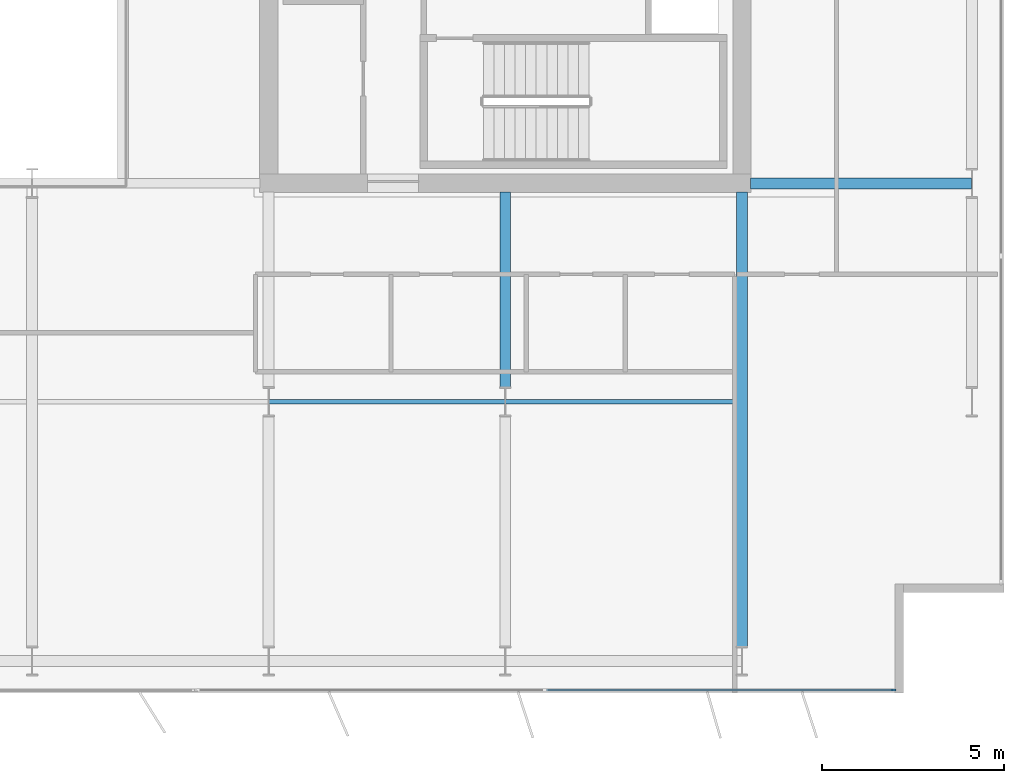
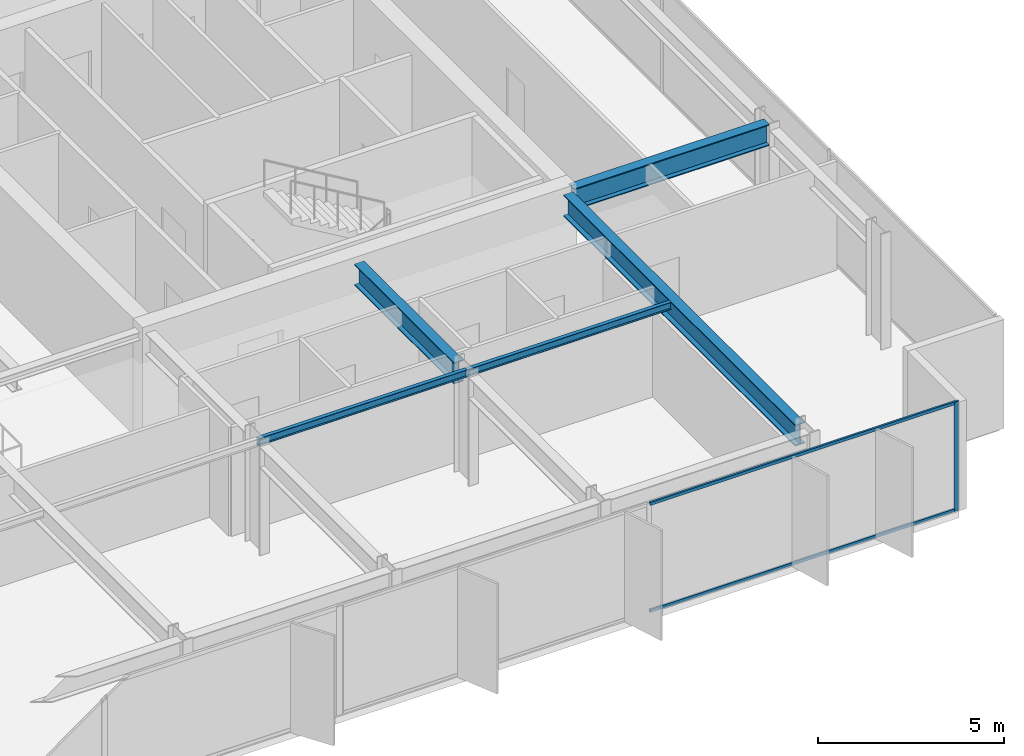
# One storey, part 8 of 23: 5 beams, 3 members, 1 element without a shape of its own.
"""IFC4 building model written with IfcOpenShell, lengths in metres."""

import ifcopenshell
import ifcopenshell.guid

model = None  # the IFC model being written
_history = None  # IfcOwnerHistory: only IFC2X3 demands one
_inside = {}  # id of a spatial element -> (the spatial element, [elements in it])
_under = {}  # id of a project, library or spatial element -> (it, [spatial elements below it])
_declared = {}  # id of a project -> (the project, [libraries it declares])
_typed = {}  # id of a type object -> (the type object, [elements of that type])
_made_of = {}  # id of a material, layer set ... -> (it, [elements and type objects made of it])


def new_model(schema):
    """Start an empty IFC model of exactly this schema.

    Asked for "IFC4X3", IfcOpenShell would pick the latest addendum, in which some entities
    have other attributes; the version numbers below select the first issue.
    IFC2X3 requires an IfcOwnerHistory on every rooted entity: one is made here for all.
    """
    global model, _history
    if schema == "IFC4X3":
        model = ifcopenshell.file(schema_version=(4, 3, 0, 0))
    else:
        model = ifcopenshell.file(schema=schema)
    _inside.clear()
    _under.clear()
    _declared.clear()
    _typed.clear()
    _made_of.clear()
    _history = None
    if model.schema == "IFC2X3":
        org = make("IfcOrganization", Name="unknown")
        user = make(
            "IfcPersonAndOrganization",
            ThePerson=make("IfcPerson", FamilyName="unknown"),
            TheOrganization=org,
        )
        app = make(
            "IfcApplication",
            ApplicationDeveloper=org,
            Version="unknown",
            ApplicationFullName="unknown",
            ApplicationIdentifier="unknown",
        )
        _history = make(
            "IfcOwnerHistory",
            OwningUser=user,
            OwningApplication=app,
            ChangeAction="ADDED",
            CreationDate=0,
        )
    return model


def make(cls, **values):
    """One entity of the class cls with the attributes given. An attribute that is None is left unset."""
    return model.create_entity(
        cls, **{name: value for name, value in values.items() if value is not None}
    )


def rooted(cls, **values):
    """An entity with a GlobalId (a new one), such as an element, a storey or a relation."""
    return make(cls, GlobalId=ifcopenshell.guid.new(), OwnerHistory=_history, **values)


def si_unit(unit_type, name, prefix=None):
    """IfcSIUnit, for example si_unit("LENGTHUNIT", "METRE", prefix="MILLI")."""
    return make("IfcSIUnit", UnitType=unit_type, Prefix=prefix, Name=name)


def assignment(units):
    """IfcUnitAssignment: the units of a project."""
    return None if units is None else make("IfcUnitAssignment", Units=units)


def point(xyz):
    """IfcCartesianPoint."""
    return None if xyz is None else make("IfcCartesianPoint", Coordinates=xyz)


def direction(xyz):
    """IfcDirection."""
    return None if xyz is None else make("IfcDirection", DirectionRatios=xyz)


def frame(location, z_axis=None, x_axis=None):
    """IfcAxis2Placement3D, a coordinate frame: its origin and axes. An axis left out is left unset."""
    return make(
        "IfcAxis2Placement3D",
        Location=point(location),
        Axis=direction(z_axis),
        RefDirection=direction(x_axis),
    )


def frame_2d(location, x_axis=None):
    """IfcAxis2Placement2D, a coordinate frame in the plane: its origin and x axis."""
    return make(
        "IfcAxis2Placement2D", Location=point(location), RefDirection=direction(x_axis)
    )


def origin():
    """The frame at (0, 0, 0) with its axes left unset."""
    return frame((0.0, 0.0, 0.0))


def origin_2d():
    """The frame at (0, 0) in the plane with its x axis left unset."""
    return frame_2d((0.0, 0.0))


def place(relative_to, where):
    """IfcLocalPlacement: puts the frame where relative to a parent placement (None: the world)."""
    return make(
        "IfcLocalPlacement", PlacementRelTo=relative_to, RelativePlacement=where
    )


def context(
    kind, dimensions, precision=None, world=None, true_north=None, identifier=None
):
    """IfcGeometricRepresentationContext, for example the 3D "Model" context."""
    return make(
        "IfcGeometricRepresentationContext",
        ContextIdentifier=identifier,
        ContextType=kind,
        CoordinateSpaceDimension=dimensions,
        Precision=precision,
        WorldCoordinateSystem=world,
        TrueNorth=true_north,
    )


def subcontext(parent, identifier, kind, view, scale=None):
    """IfcGeometricRepresentationSubContext, for example "Body" below "Model"."""
    return make(
        "IfcGeometricRepresentationSubContext",
        ContextIdentifier=identifier,
        ContextType=kind,
        ParentContext=parent,
        TargetScale=scale,
        TargetView=view,
    )


def project(units=None, contexts=None):
    """IfcProject with its units and contexts."""
    return rooted(
        "IfcProject",
        Name="project",
        RepresentationContexts=contexts,
        UnitsInContext=assignment(units),
    )


def spatial(cls, under=None, at=None, **own):
    """A site, building, storey or space (cls), placed at a placement, below another one or the project."""
    s = rooted(cls, ObjectPlacement=at, **own)
    if under is not None:
        _under.setdefault(under.id(), (under, []))[1].append(s)
    return s


def profile(cls, at=None, kind="AREA", **sizes):
    """A parametric profile (cls). Its sizes go by their IFC names, for example OverallWidth=200.0."""
    return make(cls, ProfileType=kind, Position=at, **sizes)


def rectangle(**sizes):
    """IfcRectangleProfileDef."""
    return profile("IfcRectangleProfileDef", **sizes)


def i_section(**sizes):
    """IfcIShapeProfileDef."""
    return profile("IfcIShapeProfileDef", **sizes)


def extrude(swept, where, along, depth):
    """IfcExtrudedAreaSolid: the profile swept, set in the frame where, extruded along a direction by depth."""
    return make(
        "IfcExtrudedAreaSolid",
        SweptArea=swept,
        Position=where,
        ExtrudedDirection=direction(along),
        Depth=depth,
    )


def shape(context_of_items, identifier, shape_type, items):
    """IfcShapeRepresentation: the items that make up one representation, for example the "Body"."""
    return make(
        "IfcShapeRepresentation",
        ContextOfItems=context_of_items,
        RepresentationIdentifier=identifier,
        RepresentationType=shape_type,
        Items=items,
    )


def material(Name=None, Category=None):
    """IfcMaterial."""
    return make("IfcMaterial", Name=Name, Category=Category)


def layer(
    of_material, thickness, ventilated=None, Name=None, Category=None, Priority=None
):
    """IfcMaterialLayer: one layer of a wall or slab, of a material (None: an air gap)."""
    return make(
        "IfcMaterialLayer",
        Material=of_material,
        LayerThickness=thickness,
        IsVentilated=ventilated,
        Name=Name,
        Category=Category,
        Priority=Priority,
    )


def layer_set(layers, Name=None):
    """IfcMaterialLayerSet."""
    return make("IfcMaterialLayerSet", MaterialLayers=layers, LayerSetName=Name)


def material_profile(
    of_material, cross_section, Name=None, Category=None, Priority=None
):
    """IfcMaterialProfile: a cross section and its material."""
    return make(
        "IfcMaterialProfile",
        Name=Name,
        Material=of_material,
        Profile=cross_section,
        Priority=Priority,
        Category=Category,
    )


def profile_set(profiles, Name=None, composite=None):
    """IfcMaterialProfileSet."""
    return make(
        "IfcMaterialProfileSet",
        Name=Name,
        MaterialProfiles=profiles,
        CompositeProfile=composite,
    )


def made_of(thing, what):
    """Note that an element or type object is made of a material, layer set ...; save() writes the relation."""
    if what is not None:
        _made_of.setdefault(what.id(), (what, []))[1].append(thing)
    return thing


def type_object(cls, material=None, **own):
    """A type object (cls), such as IfcWallType, which elements share."""
    return made_of(rooted(cls, **own), material)


def element(
    cls,
    number,
    at=None,
    inside=None,
    cuts=None,
    type_object=None,
    material=None,
    context=None,
    identifier="Body",
    shape_type=None,
    held_by="IfcProductDefinitionShape",
    body=None,
    shapes=None,
    **own,
):
    """One element of the class cls, such as IfcWall. Its Tag is "e" and its number.

    at: its placement. inside: the storey or other place that contains it. cuts: it is an
    opening in that element (IfcRelVoidsElement). A single representation is given by context,
    identifier, shape_type and body (its items); several are given by shapes. held_by: the class
    of the entity that holds the representations. save() writes the other relations.
    """
    e = rooted(cls, Tag="e%d" % number, ObjectPlacement=at, **own)
    if body is not None:
        shapes = [shape(context, identifier, shape_type, body)]
    if shapes is not None:
        e.Representation = make(held_by, Representations=shapes)
    if inside is not None:
        _inside.setdefault(inside.id(), (inside, []))[1].append(e)
    if cuts is not None:
        rooted(
            "IfcRelVoidsElement", RelatingBuildingElement=cuts, RelatedOpeningElement=e
        )
    if type_object is not None:
        _typed.setdefault(type_object.id(), (type_object, []))[1].append(e)
    return made_of(e, material)


def aggregate(whole, parts):
    """IfcRelAggregates: a whole, such as a stair, and the parts it consists of."""
    return rooted("IfcRelAggregates", RelatingObject=whole, RelatedObjects=parts)


def save(model, path):
    """Write the relations noted so far, then the file.

    IfcRelAggregates (storeys below a building ...), IfcRelContainedInSpatialStructure (elements
    in a storey), IfcRelDefinesByType, IfcRelAssociatesMaterial and IfcRelDeclares: one each for
    every whole, place, type object, material and project.
    """
    for whole, parts in _under.values():
        aggregate(whole, parts)
    for where, things in _inside.values():
        rooted(
            "IfcRelContainedInSpatialStructure",
            RelatedElements=things,
            RelatingStructure=where,
        )
    for kind, things in _typed.values():
        rooted("IfcRelDefinesByType", RelatedObjects=things, RelatingType=kind)
    for what, things in _made_of.values():
        rooted("IfcRelAssociatesMaterial", RelatedObjects=things, RelatingMaterial=what)
    for by, libraries in _declared.values():
        rooted("IfcRelDeclares", RelatingContext=by, RelatedDefinitions=libraries)
    model.write(path)


model = new_model("IFC4")

# Units and contexts
model_context = context("Model", 3, precision=1e-05, world=origin(), true_north=direction((0.0, 1.0)))
body_context = subcontext(model_context, "Body", "Model", "MODEL_VIEW")
ifc_project = project(units=[si_unit("LENGTHUNIT", "METRE"), si_unit("AREAUNIT", "SQUARE_METRE"), si_unit("VOLUMEUNIT", "CUBIC_METRE"), si_unit("PLANEANGLEUNIT", "RADIAN"), si_unit("MASSUNIT", "GRAM", prefix="KILO")], contexts=[model_context])

# Site, building, storey
site_placement = place(None, origin())
site = spatial("IfcSite", under=ifc_project, at=site_placement, CompositionType="ELEMENT")
building_placement = place(site_placement, origin())
building = spatial("IfcBuilding", under=site, at=building_placement, Name="Putna Gate Headquarters", CompositionType="ELEMENT")
storey_placement = place(building_placement, frame((0.0, 0.0, 213.800048828125)))
storey = spatial("IfcBuildingStorey", under=building, at=storey_placement, Name="L53", CompositionType="ELEMENT", Elevation=213.800048828125)

# Beams
ifc_material_1 = material(Name="Steel S355J2", Category="steel")
ifc_material_profile_1 = material_profile(ifc_material_1, i_section(OverallWidth=0.300048828125, OverallDepth=0.699951171875, WebThickness=0.01708984375, FlangeThickness=0.031982421875, at=origin_2d()), Name="Steel S355J2")
ifc_profile_set_1 = profile_set([ifc_material_profile_1], Name="Steel S355J2")
beam_type_1 = type_object("IfcBeamType", Name="BM-GIRD-B-HEB700", PredefinedType="USERDEFINED", material=ifc_profile_set_1)
beam_1_placement = place(storey_placement, frame((65.235107421875, 19.0, 3.22998046875), z_axis=(1.0, 0.0, 0.0), x_axis=(0.0, 1.0, 0.0)))
element("IfcBeam", 1, at=beam_1_placement, inside=storey, type_object=beam_type_1, Name="L53 East Wing Girder Y19", ObjectType="GIRDER", PredefinedType="USERDEFINED", context=body_context, shape_type="SweptSolid", body=[
    extrude(i_section(OverallWidth=0.300048828125, OverallDepth=0.699951171875, WebThickness=0.01708984375, FlangeThickness=0.031982421875, at=origin_2d()), origin(), (0.0, 0.0, 1.0), 6.078857421875),
])
beam_2_placement = place(storey_placement, frame((58.5, 13.39501953125, 3.22998046875), z_axis=(0.0, 1.0, 0.0), x_axis=(-1.0, 0.0, 0.0)))
element("IfcBeam", 2, at=beam_2_placement, inside=storey, type_object=beam_type_1, Name="L53 South Primary Girder X58-2", ObjectType="GIRDER", PredefinedType="USERDEFINED", context=body_context, shape_type="SweptSolid", body=[
    extrude(i_section(OverallWidth=0.300048828125, OverallDepth=0.699951171875, WebThickness=0.01708984375, FlangeThickness=0.031982421875, at=origin_2d()), origin(), (0.0, 0.0, 1.0), 5.369873046875),
])
beam_3_placement = place(storey_placement, frame((65.0, 6.27490234375, 3.22998046875), z_axis=(0.0, 1.0, 0.0), x_axis=(-1.0, 0.0, 0.0)))
element("IfcBeam", 3, at=beam_3_placement, inside=storey, type_object=beam_type_1, Name="L53 South Primary Girder X65", ObjectType="GIRDER", PredefinedType="USERDEFINED", context=body_context, shape_type="SweptSolid", body=[
    extrude(i_section(OverallWidth=0.300048828125, OverallDepth=0.699951171875, WebThickness=0.01708984375, FlangeThickness=0.031982421875, at=origin_2d()), origin(), (0.0, 0.0, 1.0), 12.489990234375),
])
ifc_material_profile_2 = material_profile(ifc_material_1, i_section(OverallWidth=0.1201171875, OverallDepth=0.239990234375, WebThickness=0.006103515625, FlangeThickness=0.009765625, at=origin_2d()), Name="Steel S355J2")
ifc_profile_set_2 = profile_set([ifc_material_profile_2], Name="Steel S355J2")
beam_type_2 = type_object("IfcBeamType", Name="BM-SEC-Z4-IPE240", PredefinedType="JOIST", material=ifc_profile_set_2)
beam_4_placement = place(storey_placement, frame((52.006103515625, 13.0, 3.4599609375), z_axis=(1.0, 0.0, 0.0), x_axis=(0.0, 1.0, 0.0)))
element("IfcBeam", 4, at=beam_4_placement, inside=storey, type_object=beam_type_2, Name="L53 South Secondary Beam 7", PredefinedType="JOIST", context=body_context, shape_type="SweptSolid", body=[
    extrude(i_section(OverallWidth=0.1201171875, OverallDepth=0.239990234375, WebThickness=0.006103515625, FlangeThickness=0.009765625, at=origin_2d()), origin(), (0.0, 0.0, 1.0), 6.48779296875),
])
beam_5_placement = place(storey_placement, frame((58.506103515625, 13.0, 3.4599609375), z_axis=(1.0, 0.0, 0.0), x_axis=(0.0, 1.0, 0.0)))
element("IfcBeam", 5, at=beam_5_placement, inside=storey, type_object=beam_type_2, Name="L53 South Secondary Beam 8", PredefinedType="JOIST", context=body_context, shape_type="SweptSolid", body=[
    extrude(i_section(OverallWidth=0.1201171875, OverallDepth=0.239990234375, WebThickness=0.006103515625, FlangeThickness=0.009765625, at=origin_2d()), origin(), (0.0, 0.0, 1.0), 6.33984375),
])

# Curtain wall, members
ifc_material_2 = material(Name="Anodised bronze aluminium curtain wall", Category="aluminium")
ifc_layer = layer(ifc_material_2, 0.139892578125)
ifc_layer_set = layer_set([ifc_layer], Name="Anodised bronze aluminium curtain wall")
curtain_wall_type = type_object("IfcCurtainWallType", Name="CW-SYS-Z4", PredefinedType="USERDEFINED", material=ifc_layer_set)
curtain_wall_placement = place(storey_placement, origin())
curtain_wall = element("IfcCurtainWall", 6, at=curtain_wall_placement, inside=storey, type_object=curtain_wall_type, Name="L53 South East Curtain Wall", ObjectType="STICK CURTAIN WALL", PredefinedType="USERDEFINED")
ifc_material_3 = material(Name="Anodised bronze aluminium EN AW-6060", Category="aluminium")
ifc_material_profile_3 = material_profile(ifc_material_3, rectangle(XDim=0.06005859375, YDim=0.139892578125, at=origin_2d()), Name="Anodised bronze aluminium EN AW-6060")
ifc_profile_set_3 = profile_set([ifc_material_profile_3], Name="Anodised bronze aluminium EN AW-6060")
member_type_1 = type_object("IfcMemberType", Name="MULL-CWM-4", PredefinedType="MULLION", material=ifc_profile_set_3)
member_1_placement = place(storey_placement, frame((69.169921875, 5.080078125, 0.0), z_axis=(0.0, 0.0, 1.0), x_axis=(0.0, 1.0, 0.0)))
member_1 = element("IfcMember", 7, at=member_1_placement, type_object=member_type_1, Name="CWS-4 mullion 3", PredefinedType="MULLION", context=body_context, shape_type="SweptSolid", body=[
    extrude(rectangle(XDim=0.06005859375, YDim=0.139892578125, at=origin_2d()), origin(), (0.0, 0.0, 1.0), 3.579833984375),
])
ifc_material_profile_4 = material_profile(ifc_material_3, rectangle(XDim=0.06005859375, YDim=0.10009765625, at=origin_2d()), Name="Anodised bronze aluminium EN AW-6060")
ifc_profile_set_4 = profile_set([ifc_material_profile_4], Name="Anodised bronze aluminium EN AW-6060")
member_type_2 = type_object("IfcMemberType", Name="TRAN-CWT-4", PredefinedType="USERDEFINED", material=ifc_profile_set_4)
member_2_placement = place(storey_placement, frame((59.6298828125, 5.080078125, 0.030029296875), z_axis=(1.0, 0.0, 0.0), x_axis=(0.0, 1.0, 0.0)))
member_2 = element("IfcMember", 8, at=member_2_placement, type_object=member_type_2, Name="CWS-4 transom 2.1", ObjectType="TRANSOM", PredefinedType="USERDEFINED", context=body_context, shape_type="SweptSolid", body=[
    extrude(rectangle(XDim=0.06005859375, YDim=0.10009765625, at=origin_2d()), origin(), (0.0, 0.0, 1.0), 9.510009765625),
])
member_3_placement = place(storey_placement, frame((59.6298828125, 5.080078125, 3.550048828125), z_axis=(1.0, 0.0, 0.0), x_axis=(0.0, 1.0, 0.0)))
member_3 = element("IfcMember", 9, at=member_3_placement, type_object=member_type_2, Name="CWS-4 transom 2.2", ObjectType="TRANSOM", PredefinedType="USERDEFINED", context=body_context, shape_type="SweptSolid", body=[
    extrude(rectangle(XDim=0.06005859375, YDim=0.10009765625, at=origin_2d()), origin(), (0.0, 0.0, 1.0), 9.510009765625),
])
aggregate(curtain_wall, [member_1, member_2, member_3])

save(model, "model.ifc")
